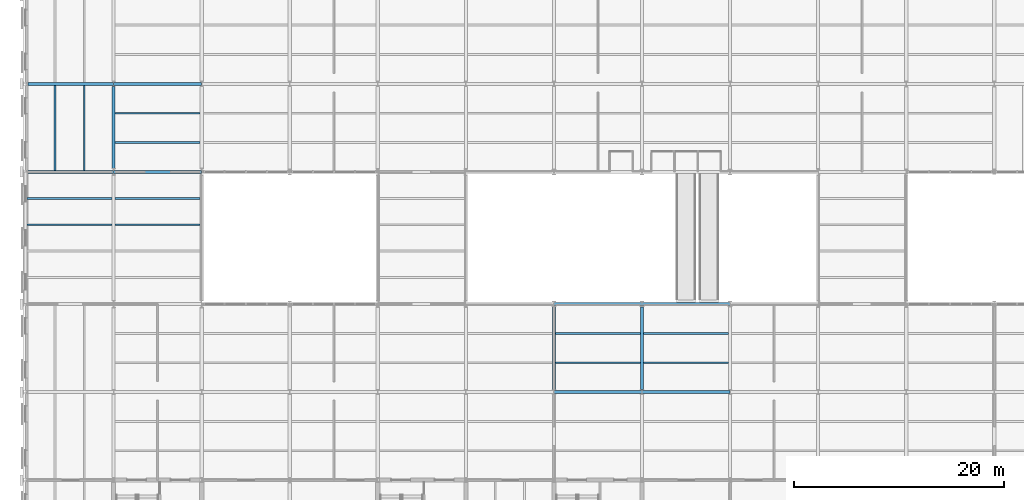
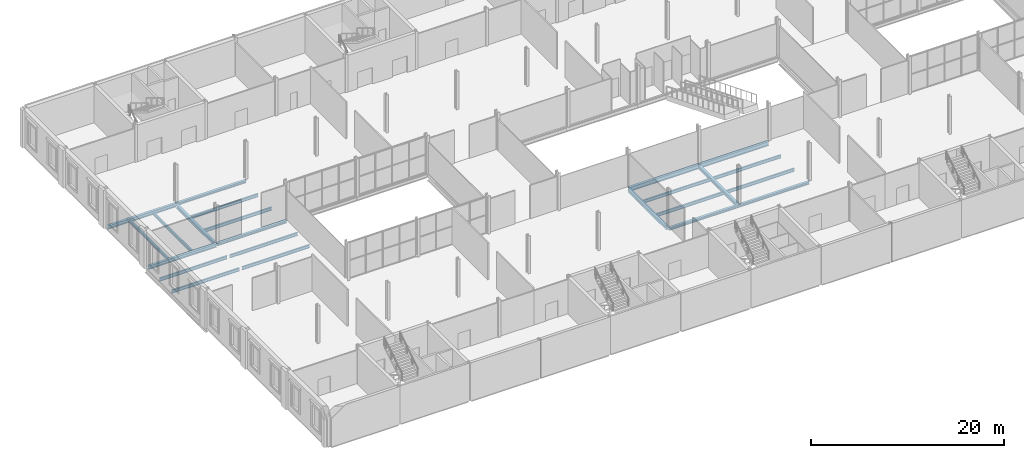
# One storey, part 13 of 52: 23 beams.
"""IFC4 building model written with IfcOpenShell, lengths in metres."""

from ifc_helpers import new_model, si_unit, direction, frame, origin, origin_2d, place, context, subcontext, project, spatial, i_section, extrude, material, material_profile, profile_set, type_object, element, save


model = new_model("IFC4")

# Units and contexts
model_context = context("Model", 3, precision=1e-05, world=origin(), true_north=direction((0.0, 1.0)))
body_context = subcontext(model_context, "Body", "Model", "MODEL_VIEW")
ifc_project = project(units=[si_unit("LENGTHUNIT", "METRE"), si_unit("AREAUNIT", "SQUARE_METRE"), si_unit("VOLUMEUNIT", "CUBIC_METRE"), si_unit("PLANEANGLEUNIT", "RADIAN"), si_unit("MASSUNIT", "GRAM", prefix="KILO")], contexts=[model_context])

# Site, building, storey
site_placement = place(None, origin())
site = spatial("IfcSite", under=ifc_project, at=site_placement, CompositionType="ELEMENT")
building_placement = place(site_placement, origin())
building = spatial("IfcBuilding", under=site, at=building_placement, Name="Galleria Vessillo Department Store", CompositionType="ELEMENT")
storey_placement = place(building_placement, frame((0.0, 0.0, 16.199951171875)))
storey = spatial("IfcBuildingStorey", under=building, at=storey_placement, Name="L03", CompositionType="ELEMENT", Elevation=16.199951171875)

# Beams
ifc_material_1 = material(Name="Steel S355 J2", Category="steel")
ifc_material_profile_1 = material_profile(ifc_material_1, i_section(OverallWidth=0.300048828125, OverallDepth=0.43994140625, WebThickness=0.011474609375, FlangeThickness=0.02099609375, FilletRadius=0.027099609375, at=origin_2d()), Name="HEA 450")
ifc_profile_set_1 = profile_set([ifc_material_profile_1], Name="Steel S355 J2")
beam_type_1 = type_object("IfcBeamType", Name="Floor girder HEA 450", PredefinedType="BEAM", material=ifc_profile_set_1)
beam_1_placement = place(storey_placement, frame((0.250244140625, 37.800048828125, -0.369873046875), z_axis=(1.0, 0.0, 0.0), x_axis=(0.0, 1.0, 0.0)))
element("IfcBeam", 1, at=beam_1_placement, inside=storey, type_object=beam_type_1, Name="S-BM-L03-GI-x37800-250", PredefinedType="BEAM", context=body_context, shape_type="SweptSolid", body=[
    extrude(i_section(OverallWidth=0.300048828125, OverallDepth=0.43994140625, WebThickness=0.011474609375, FlangeThickness=0.02099609375, FilletRadius=0.027099609375, at=origin_2d()), origin(), (0.0, 0.0, 1.0), 8.13916015625),
])
beam_2_placement = place(storey_placement, frame((0.250244140625, 46.199951171875, -0.369873046875), z_axis=(1.0, 0.0, 0.0), x_axis=(0.0, 1.0, 0.0)))
element("IfcBeam", 2, at=beam_2_placement, inside=storey, type_object=beam_type_1, Name="S-BM-L03-GI-x46200-250", PredefinedType="BEAM", context=body_context, shape_type="SweptSolid", body=[
    extrude(i_section(OverallWidth=0.300048828125, OverallDepth=0.43994140625, WebThickness=0.011474609375, FlangeThickness=0.02099609375, FilletRadius=0.027099609375, at=origin_2d()), origin(), (0.0, 0.0, 1.0), 8.142333984375),
])
beam_3_placement = place(storey_placement, frame((8.39990234375, 38.134033203125, -0.369873046875), z_axis=(0.0, 1.0, 0.0), x_axis=(-1.0, 0.0, 0.0)))
element("IfcBeam", 3, at=beam_3_placement, inside=storey, type_object=beam_type_1, Name="S-BM-L03-GI-y8400-38134", PredefinedType="BEAM", context=body_context, shape_type="SweptSolid", body=[
    extrude(i_section(OverallWidth=0.300048828125, OverallDepth=0.43994140625, WebThickness=0.011474609375, FlangeThickness=0.02099609375, FilletRadius=0.027099609375, at=origin_2d()), origin(), (0.0, 0.0, 1.0), 7.81591796875),
])
for number, where, z_axis, x_axis, name in (
    (4, (50.39990234375, 17.050048828125, -0.369873046875), (0.0, 1.0, 0.0), (-1.0, 0.0, 0.0), "S-BM-L03-GI-y50400-17050"),
    (5, (58.800048828125, 17.050048828125, -0.369873046875), (0.0, 1.0, 0.0), (-1.0, 0.0, 0.0), "S-BM-L03-GI-y58800-17050"),
):
    element("IfcBeam", number, at=place(storey_placement, frame(where, z_axis=z_axis, x_axis=x_axis)), inside=storey, type_object=beam_type_1, Name=name, PredefinedType="BEAM", context=body_context, shape_type="SweptSolid", body=[
        extrude(i_section(OverallWidth=0.300048828125, OverallDepth=0.43994140625, WebThickness=0.011474609375, FlangeThickness=0.02099609375, FilletRadius=0.027099609375, at=origin_2d()), origin(), (0.0, 0.0, 1.0), 7.887939453125),
    ])
ifc_material_2 = material(Name="Steel S355 J2", Category="steel")
ifc_material_profile_2 = material_profile(ifc_material_2, i_section(OverallWidth=0.179931640625, OverallDepth=0.39990234375, WebThickness=0.008544921875, FlangeThickness=0.013427734375, FilletRadius=0.02099609375, at=origin_2d()), Name="IPE 400")
ifc_profile_set_2 = profile_set([ifc_material_profile_2], Name="Steel S355 J2")
beam_type_2 = type_object("IfcBeamType", Name="Floor joist IPE 400", PredefinedType="JOIST", material=ifc_profile_set_2)
for number, where, z_axis, x_axis, name in (
    (6, (0.152099609375, 32.760009765625, -0.349853515625), (1.0, 0.0, 0.0), (0.0, 1.0, 0.0), "S-BM-L03-JO-x32760-152"),
    (7, (0.152099609375, 35.280029296875, -0.349853515625), (1.0, 0.0, 0.0), (0.0, 1.0, 0.0), "S-BM-L03-JO-x35280-152"),
):
    element("IfcBeam", number, at=place(storey_placement, frame(where, z_axis=z_axis, x_axis=x_axis)), inside=storey, type_object=beam_type_2, Name=name, PredefinedType="JOIST", context=body_context, shape_type="SweptSolid", body=[
        extrude(i_section(OverallWidth=0.179931640625, OverallDepth=0.39990234375, WebThickness=0.008544921875, FlangeThickness=0.013427734375, FilletRadius=0.02099609375, at=origin_2d()), origin(), (0.0, 0.0, 1.0), 8.09765625),
    ])
for number, where, z_axis, x_axis, name in (
    (8, (2.800048828125, 37.9501953125, -0.349853515625), (0.0, 1.0, 0.0), (-1.0, 0.0, 0.0), "S-BM-L03-JO-y2800-37950"),
    (9, (5.60009765625, 37.9501953125, -0.349853515625), (0.0, 1.0, 0.0), (-1.0, 0.0, 0.0), "S-BM-L03-JO-y5600-37950"),
):
    element("IfcBeam", number, at=place(storey_placement, frame(where, z_axis=z_axis, x_axis=x_axis)), inside=storey, type_object=beam_type_2, Name=name, PredefinedType="JOIST", context=body_context, shape_type="SweptSolid", body=[
        extrude(i_section(OverallWidth=0.179931640625, OverallDepth=0.39990234375, WebThickness=0.008544921875, FlangeThickness=0.013427734375, FilletRadius=0.02099609375, at=origin_2d()), origin(), (0.0, 0.0, 1.0), 8.099609375),
    ])
for number, where, z_axis, x_axis, name in (
    (10, (8.550048828125, 32.760009765625, -0.349853515625), (1.0, 0.0, 0.0), (0.0, 1.0, 0.0), "S-BM-L03-JO-x32760-8550"),
    (11, (8.550048828125, 35.280029296875, -0.349853515625), (1.0, 0.0, 0.0), (0.0, 1.0, 0.0), "S-BM-L03-JO-x35280-8550"),
    (12, (8.550048828125, 40.60009765625, -0.349853515625), (1.0, 0.0, 0.0), (0.0, 1.0, 0.0), "S-BM-L03-JO-x40600-8550"),
    (13, (8.550048828125, 43.39990234375, -0.349853515625), (1.0, 0.0, 0.0), (0.0, 1.0, 0.0), "S-BM-L03-JO-x43400-8550"),
    (14, (50.550048828125, 19.60009765625, -0.349853515625), (1.0, 0.0, 0.0), (0.0, 1.0, 0.0), "S-BM-L03-JO-x19600-50550"),
    (15, (50.550048828125, 22.39990234375, -0.349853515625), (1.0, 0.0, 0.0), (0.0, 1.0, 0.0), "S-BM-L03-JO-x22400-50550"),
):
    element("IfcBeam", number, at=place(storey_placement, frame(where, z_axis=z_axis, x_axis=x_axis)), inside=storey, type_object=beam_type_2, Name=name, PredefinedType="JOIST", context=body_context, shape_type="SweptSolid", body=[
        extrude(i_section(OverallWidth=0.179931640625, OverallDepth=0.39990234375, WebThickness=0.008544921875, FlangeThickness=0.013427734375, FilletRadius=0.02099609375, at=origin_2d()), origin(), (0.0, 0.0, 1.0), 8.099853515625),
    ])
for number, where, z_axis, x_axis, name in (
    (16, (58.9501953125, 19.60009765625, -0.349853515625), (1.0, 0.0, 0.0), (0.0, 1.0, 0.0), "S-BM-L03-JO-x19600-58950"),
    (17, (58.9501953125, 22.39990234375, -0.349853515625), (1.0, 0.0, 0.0), (0.0, 1.0, 0.0), "S-BM-L03-JO-x22400-58950"),
):
    element("IfcBeam", number, at=place(storey_placement, frame(where, z_axis=z_axis, x_axis=x_axis)), inside=storey, type_object=beam_type_2, Name=name, PredefinedType="JOIST", context=body_context, shape_type="SweptSolid", body=[
        extrude(i_section(OverallWidth=0.179931640625, OverallDepth=0.39990234375, WebThickness=0.008544921875, FlangeThickness=0.013427734375, FilletRadius=0.02099609375, at=origin_2d()), origin(), (0.0, 0.0, 1.0), 8.099609375),
    ])
ifc_material_3 = material(Name="Steel S355 J2", Category="steel")
ifc_material_profile_3 = material_profile(ifc_material_3, i_section(OverallWidth=0.300048828125, OverallDepth=0.330078125, WebThickness=0.009521484375, FlangeThickness=0.0166015625, FilletRadius=0.027099609375, at=origin_2d()), Name="HEA 340")
ifc_profile_set_3 = profile_set([ifc_material_profile_3], Name="Steel S355 J2")
beam_type_3 = type_object("IfcBeamType", Name="Floor tie girder HEA 340", PredefinedType="BEAM", material=ifc_profile_set_3)
for number, where, z_axis, x_axis, name in (
    (18, (50.407470703125, 16.800048828125, -0.31494140625), (1.0, 0.0, 0.0), (0.0, 1.0, 0.0), "S-BM-L03-TI-x16800-50407"),
    (19, (58.807373046875, 16.800048828125, -0.31494140625), (1.0, 0.0, 0.0), (0.0, 1.0, 0.0), "S-BM-L03-TI-x16800-58807"),
):
    element("IfcBeam", number, at=place(storey_placement, frame(where, z_axis=z_axis, x_axis=x_axis)), inside=storey, type_object=beam_type_3, Name=name, PredefinedType="BEAM", context=body_context, shape_type="SweptSolid", body=[
        extrude(i_section(OverallWidth=0.300048828125, OverallDepth=0.330078125, WebThickness=0.009521484375, FlangeThickness=0.0166015625, FilletRadius=0.027099609375, at=origin_2d()), origin(), (0.0, 0.0, 1.0), 8.38525390625),
    ])
beam_4_placement = place(storey_placement, frame((8.41064453125, 37.800048828125, -0.31494140625), z_axis=(1.0, 0.0, 0.0), x_axis=(0.0, 1.0, 0.0)))
element("IfcBeam", 20, at=beam_4_placement, inside=storey, type_object=beam_type_3, Name="S-BM-L03-TI-x37800-8411", PredefinedType="BEAM", context=body_context, shape_type="SweptSolid", body=[
    extrude(i_section(OverallWidth=0.300048828125, OverallDepth=0.330078125, WebThickness=0.009521484375, FlangeThickness=0.0166015625, FilletRadius=0.027099609375, at=origin_2d()), origin(), (0.0, 0.0, 1.0), 8.378662109375),
])
beam_5_placement = place(storey_placement, frame((8.407470703125, 46.199951171875, -0.31494140625), z_axis=(1.0, 0.0, 0.0), x_axis=(0.0, 1.0, 0.0)))
element("IfcBeam", 21, at=beam_5_placement, inside=storey, type_object=beam_type_3, Name="S-BM-L03-TI-x46200-8407", PredefinedType="BEAM", context=body_context, shape_type="SweptSolid", body=[
    extrude(i_section(OverallWidth=0.300048828125, OverallDepth=0.330078125, WebThickness=0.009521484375, FlangeThickness=0.0166015625, FilletRadius=0.027099609375, at=origin_2d()), origin(), (0.0, 0.0, 1.0), 8.38525390625),
])
ifc_material_4 = material(Name="Steel S355 J2", Category="steel")
ifc_material_profile_4 = material_profile(ifc_material_4, i_section(OverallWidth=0.300048828125, OverallDepth=0.5400390625, WebThickness=0.012451171875, FlangeThickness=0.02392578125, FilletRadius=0.027099609375, at=origin_2d()), Name="HEA 550")
ifc_profile_set_4 = profile_set([ifc_material_profile_4], Name="Steel S355 J2")
beam_type_4 = type_object("IfcBeamType", Name="Trimmer beam HEA 550", PredefinedType="BEAM", material=ifc_profile_set_4)
beam_6_placement = place(storey_placement, frame((50.41064453125, 25.199951171875, -0.419921875), z_axis=(1.0, 0.0, 0.0), x_axis=(0.0, 1.0, 0.0)))
element("IfcBeam", 22, at=beam_6_placement, inside=storey, type_object=beam_type_4, Name="S-BM-L03-TR-x25200-50411", PredefinedType="BEAM", context=body_context, shape_type="SweptSolid", body=[
    extrude(i_section(OverallWidth=0.300048828125, OverallDepth=0.5400390625, WebThickness=0.012451171875, FlangeThickness=0.02392578125, FilletRadius=0.027099609375, at=origin_2d()), origin(), (0.0, 0.0, 1.0), 8.378662109375),
])
beam_7_placement = place(storey_placement, frame((58.810546875, 25.199951171875, -0.419921875), z_axis=(1.0, 0.0, 0.0), x_axis=(0.0, 1.0, 0.0)))
element("IfcBeam", 23, at=beam_7_placement, inside=storey, type_object=beam_type_4, Name="S-BM-L03-TR-x25200-58811", PredefinedType="BEAM", context=body_context, shape_type="SweptSolid", body=[
    extrude(i_section(OverallWidth=0.300048828125, OverallDepth=0.5400390625, WebThickness=0.012451171875, FlangeThickness=0.02392578125, FilletRadius=0.027099609375, at=origin_2d()), origin(), (0.0, 0.0, 1.0), 8.37890625),
])

save(model, "model.ifc")
